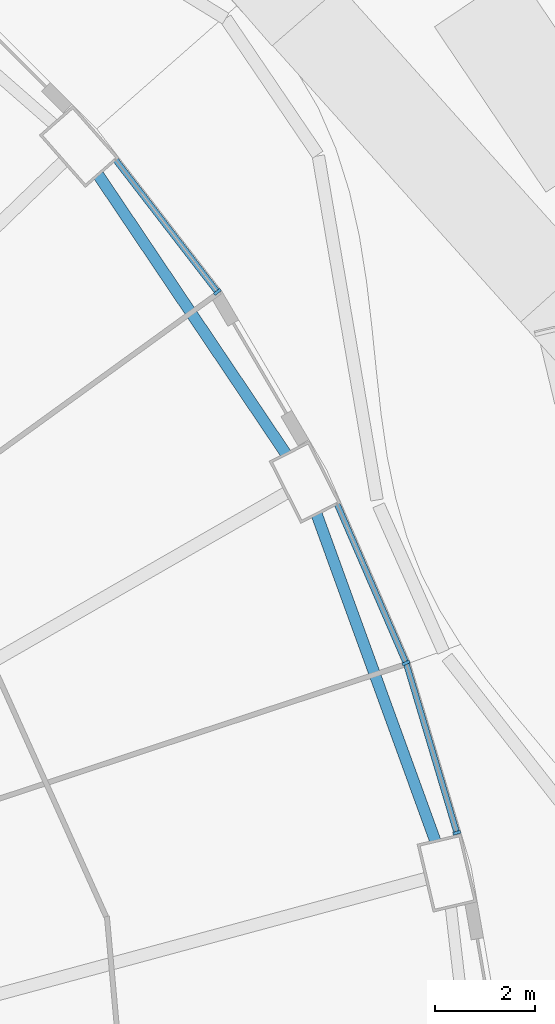
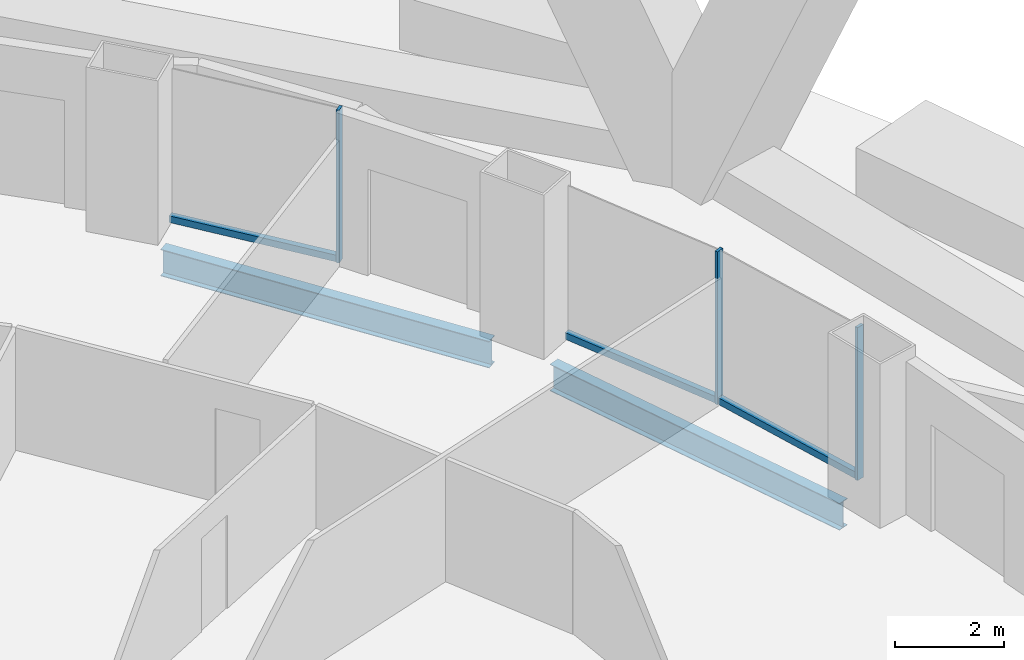
# One storey, part 23 of 42: 6 members, 2 beams, 3 elements without a shape of their own.
"""IFC4 building model written with IfcOpenShell, lengths in metres."""

from ifc_helpers import new_model, si_unit, direction, frame, origin, origin_2d, place, context, subcontext, project, spatial, rectangle, i_section, extrude, material, layer, layer_set, material_profile, profile_set, type_object, element, aggregate, save


model = new_model("IFC4")

# Units and contexts
model_context = context("Model", 3, precision=1e-05, world=origin(), true_north=direction((0.0, 1.0)))
body_context = subcontext(model_context, "Body", "Model", "MODEL_VIEW")
ifc_project = project(units=[si_unit("LENGTHUNIT", "METRE"), si_unit("AREAUNIT", "SQUARE_METRE"), si_unit("VOLUMEUNIT", "CUBIC_METRE"), si_unit("PLANEANGLEUNIT", "RADIAN"), si_unit("MASSUNIT", "GRAM", prefix="KILO")], contexts=[model_context])

# Site, building, storey
site_placement = place(None, origin())
site = spatial("IfcSite", under=ifc_project, at=site_placement, CompositionType="ELEMENT")
building_placement = place(site_placement, origin())
building = spatial("IfcBuilding", under=site, at=building_placement, Name="Nagisa Residences", CompositionType="ELEMENT")
storey_placement = place(building_placement, frame((0.0, 0.0, 27.0)))
storey = spatial("IfcBuildingStorey", under=building, at=storey_placement, Name="L05", CompositionType="ELEMENT", Elevation=27.0)

# Curtain wall, member
ifc_material_1 = material(Name="Concrete-coloured aluminium curtain wall system", Category="concrete")
ifc_layer = layer(ifc_material_1, 0.159912109375)
ifc_layer_set = layer_set([ifc_layer], Name="CW1 CURTAIN WALL")
curtain_wall_type = type_object("IfcCurtainWallType", Name="CW1 CURTAIN WALL", PredefinedType="NOTDEFINED", material=ifc_layer_set)
curtain_wall_1_placement = place(storey_placement, origin())
curtain_wall_1 = element("IfcCurtainWall", 1, at=curtain_wall_1_placement, inside=storey, type_object=curtain_wall_type, Name="cw:CW1:L05:02", PredefinedType="NOTDEFINED")
ifc_material_2 = material(Name="Concrete-coloured aluminium", Category="concrete")
ifc_material_profile_1 = material_profile(ifc_material_2, rectangle(XDim=0.159912109375, YDim=0.06005859375, at=origin_2d()), Name="CW1 MULLION 160x60")
ifc_profile_set_1 = profile_set([ifc_material_profile_1], Name="Concrete-coloured aluminium")
member_type_1 = type_object("IfcMemberType", Name="CW1 MULLION 160x60", PredefinedType="MULLION", material=ifc_profile_set_1)
member_1_placement = place(storey_placement, frame((31.326416015625, 9.2177734375, 0.0), z_axis=(0.0, 0.0, 1.0), x_axis=(-0.958271310082, -0.285860274038, 0.0)))
member_1 = element("IfcMember", 2, at=member_1_placement, type_object=member_type_1, Name="CW1 mullion", PredefinedType="MULLION", context=body_context, shape_type="SweptSolid", body=[
    extrude(rectangle(XDim=0.159912109375, YDim=0.06005859375, at=origin_2d()), origin(), (0.0, 0.0, 1.0), 3.43994140625),
])

curtain_wall_2_placement = place(storey_placement, origin())
curtain_wall_2 = element("IfcCurtainWall", 3, at=curtain_wall_2_placement, inside=storey, type_object=curtain_wall_type, Name="cw:CW1:L05:03", PredefinedType="NOTDEFINED")
member_2_placement = place(storey_placement, frame((30.30712890625, 12.624267578125, 0.0), z_axis=(0.0, 0.0, 1.0), x_axis=(-0.917543276295, -0.397635934147, 0.0)))
member_2 = element("IfcMember", 4, at=member_2_placement, type_object=member_type_1, Name="CW1 mullion", PredefinedType="MULLION", context=body_context, shape_type="SweptSolid", body=[
    extrude(rectangle(XDim=0.159912109375, YDim=0.06005859375, at=origin_2d()), origin(), (0.0, 0.0, 1.0), 3.43994140625),
])

curtain_wall_3_placement = place(storey_placement, origin())
curtain_wall_3 = element("IfcCurtainWall", 5, at=curtain_wall_3_placement, inside=storey, type_object=curtain_wall_type, Name="cw:CW1:L05:05", PredefinedType="NOTDEFINED")
member_3_placement = place(storey_placement, frame((26.525634765625, 20.06396484375, 0.0), z_axis=(0.0, 0.0, 1.0), x_axis=(-0.792070340816, -0.610429828235, 0.0)))
member_3 = element("IfcMember", 6, at=member_3_placement, type_object=member_type_1, Name="CW1 mullion", PredefinedType="MULLION", context=body_context, shape_type="SweptSolid", body=[
    extrude(rectangle(XDim=0.159912109375, YDim=0.06005859375, at=origin_2d()), origin(), (0.0, 0.0, 1.0), 3.43994140625),
])

# Member
ifc_material_3 = material(Name="Concrete-coloured aluminium", Category="concrete")
ifc_material_profile_2 = material_profile(ifc_material_3, rectangle(XDim=0.1201171875, YDim=0.14990234375, at=origin_2d()), Name="CW1 TRANSOM 120x150")
ifc_profile_set_2 = profile_set([ifc_material_profile_2], Name="Concrete-coloured aluminium")
member_type_2 = type_object("IfcMemberType", Name="CW1 TRANSOM 120x150", PredefinedType="USERDEFINED", material=ifc_profile_set_2)
member_4_placement = place(storey_placement, frame((31.335205078125, 9.18896484375, 0.074951171875), z_axis=(-0.285871309426, 0.958268018065, 0.0), x_axis=(-0.958268018065, -0.285871309426, 0.0)))
member_4 = element("IfcMember", 7, at=member_4_placement, type_object=member_type_2, Name="CW1 transom", ObjectType="TRANSOM", PredefinedType="USERDEFINED", context=body_context, shape_type="SweptSolid", body=[
    extrude(rectangle(XDim=0.1201171875, YDim=0.14990234375, at=origin_2d()), origin(), (0.0, 0.0, 1.0), 3.5654296875),
])

aggregate(curtain_wall_1, [member_1, member_4])

member_5_placement = place(storey_placement, frame((30.319091796875, 12.5966796875, 0.074951171875), z_axis=(-0.397624958345, 0.917548032803, 0.0), x_axis=(-0.917548032803, -0.397624958345, 0.0)))
member_5 = element("IfcMember", 8, at=member_5_placement, type_object=member_type_2, Name="CW1 transom", ObjectType="TRANSOM", PredefinedType="USERDEFINED", context=body_context, shape_type="SweptSolid", body=[
    extrude(rectangle(XDim=0.1201171875, YDim=0.14990234375, at=origin_2d()), origin(), (0.0, 0.0, 1.0), 3.51953125),
])

aggregate(curtain_wall_2, [member_2, member_5])

member_6_placement = place(storey_placement, frame((26.5439453125, 20.040283203125, 0.074951171875), z_axis=(-0.610457147657, 0.792049285635, 0.0), x_axis=(-0.792049285635, -0.610457147657, 0.0)))
member_6 = element("IfcMember", 9, at=member_6_placement, type_object=member_type_2, Name="CW1 transom", ObjectType="TRANSOM", PredefinedType="USERDEFINED", context=body_context, shape_type="SweptSolid", body=[
    extrude(rectangle(XDim=0.1201171875, YDim=0.14990234375, at=origin_2d()), origin(), (0.0, 0.0, 1.0), 3.3974609375),
])

aggregate(curtain_wall_3, [member_3, member_6])

# Beams
ifc_material_4 = material(Name="Steel ASTM A572 Gr 50", Category="steel")
ifc_material_profile_3 = material_profile(ifc_material_4, i_section(OverallWidth=0.22802734375, OverallDepth=0.60302734375, WebThickness=0.010498046875, FlangeThickness=0.014892578125, at=origin_2d()), Name="W610x101")
ifc_profile_set_3 = profile_set([ifc_material_profile_3], Name="Steel ASTM A572 Gr 50")
beam_type = type_object("IfcBeamType", Name="Perimeter ring beam W610x101", PredefinedType="BEAM", material=ifc_profile_set_3)
beam_1_placement = place(storey_placement, frame((30.89501953125, 9.055419921875, -0.5615234375), z_axis=(-0.341411143183, 0.939914055279, 0.0), x_axis=(-0.939914055279, -0.341411143183, 0.0)))
element("IfcBeam", 10, at=beam_1_placement, inside=storey, type_object=beam_type, Name="beam:L05:pb02", PredefinedType="BEAM", context=body_context, shape_type="SweptSolid", body=[
    extrude(i_section(OverallWidth=0.22802734375, OverallDepth=0.60302734375, WebThickness=0.010498046875, FlangeThickness=0.014892578125, at=origin_2d()), origin(), (0.0, 0.0, 1.0), 6.96923828125),
])
beam_2_placement = place(storey_placement, frame((27.899169921875, 16.818603515625, -0.5615234375), z_axis=(-0.558271879663, 0.829658067144, 0.0), x_axis=(-0.829658067144, -0.558271879663, 0.0)))
element("IfcBeam", 11, at=beam_2_placement, inside=storey, type_object=beam_type, Name="beam:L05:pb03", PredefinedType="BEAM", context=body_context, shape_type="SweptSolid", body=[
    extrude(i_section(OverallWidth=0.22802734375, OverallDepth=0.60302734375, WebThickness=0.010498046875, FlangeThickness=0.014892578125, at=origin_2d()), origin(), (0.0, 0.0, 1.0), 6.74169921875),
])

save(model, "model.ifc")
